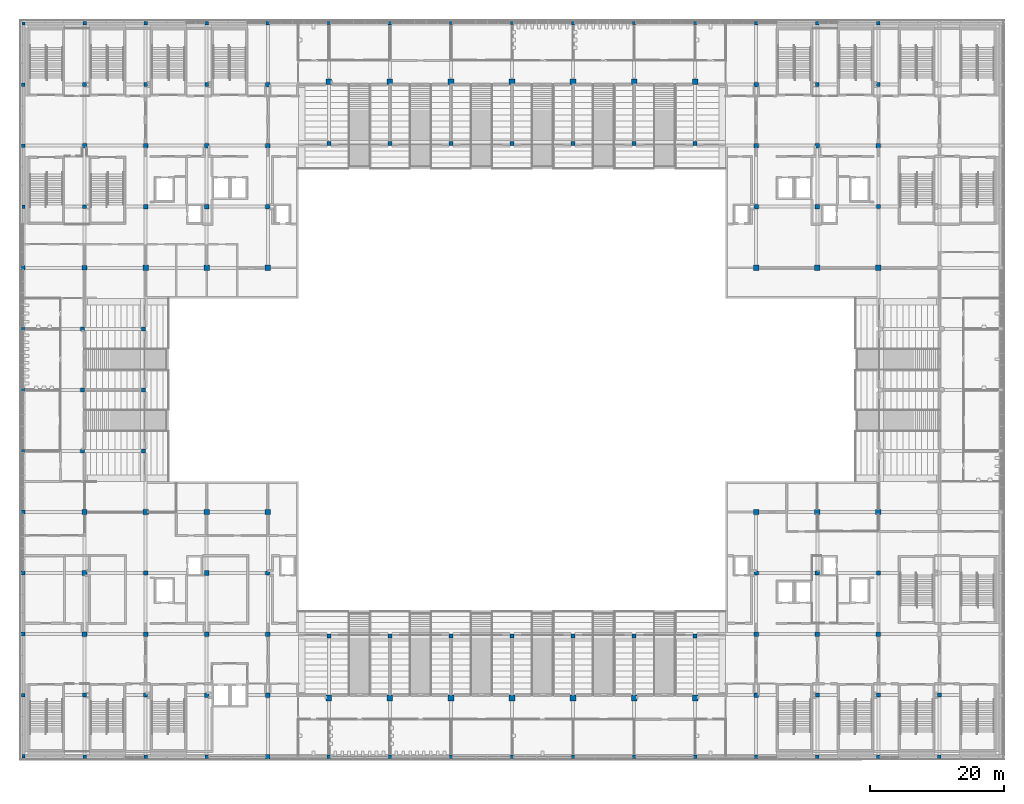
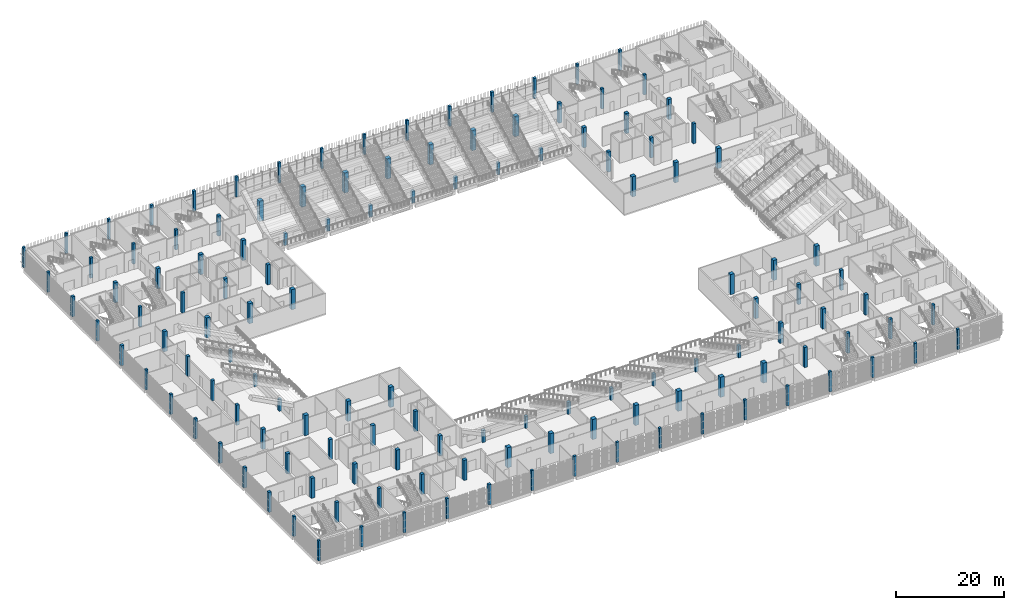
# One storey, part 1 of 139: 133 columns.
"""IFC4 building model written with IfcOpenShell, lengths in metres."""

from ifc_helpers import new_model, si_unit, direction, frame, origin, origin_2d, place, context, subcontext, project, spatial, rectangle, extrude, material, material_profile, profile_set, type_object, element, save


model = new_model("IFC4")

# Units and contexts
model_context = context("Model", 3, precision=1e-05, world=origin(), true_north=direction((0.0, 1.0)))
body_context = subcontext(model_context, "Body", "Model", "MODEL_VIEW")
ifc_project = project(units=[si_unit("LENGTHUNIT", "METRE"), si_unit("AREAUNIT", "SQUARE_METRE"), si_unit("VOLUMEUNIT", "CUBIC_METRE"), si_unit("PLANEANGLEUNIT", "RADIAN"), si_unit("MASSUNIT", "GRAM", prefix="KILO")], contexts=[model_context])

# Site, building, storey
site_placement = place(None, origin())
site = spatial("IfcSite", under=ifc_project, at=site_placement, CompositionType="ELEMENT")
building_placement = place(site_placement, origin())
building = spatial("IfcBuilding", under=site, at=building_placement, Name="Shirokan Park Arena", CompositionType="ELEMENT")
storey_placement = place(building_placement, frame((0.0, 0.0, 15.469970703125)))
storey = spatial("IfcBuildingStorey", under=building, at=storey_placement, Name="L03", CompositionType="ELEMENT", Elevation=15.469970703125)

# Columns
ifc_material = material(Name="Concrete C35", Category="concrete")
ifc_material_profile_1 = material_profile(ifc_material, rectangle(XDim=0.5, YDim=0.5, at=origin_2d()), Name="500x500")
ifc_profile_set_1 = profile_set([ifc_material_profile_1], Name="Concrete C35")
column_type_1 = type_object("IfcColumnType", Name="RC column 500x500", PredefinedType="COLUMN", material=ifc_profile_set_1)
for number, where, z_axis, x_axis, name in (
    (1, (0.0, 0.0, 0.0), (0.0, 0.0, 1.0), (1.0, 0.0, 0.0), "Column 1A L03"),
    (2, (-0.050048828125, 9.10009765625, 0.0), (0.0, 0.0, 1.0), (1.0, 0.0, 0.0), "Column 1B L03"),
    (3, (-0.074951171875, 45.5, 0.0), (0.0, 0.0, 1.0), (1.0, 0.0, 0.0), "Column 1F L03"),
    (4, (-0.074951171875, 54.60009765625, 0.0), (0.0, 0.0, 1.0), (1.0, 0.0, 0.0), "Column 1G L03"),
    (5, (-0.074951171875, 63.699951171875, 0.0), (0.0, 0.0, 1.0), (1.0, 0.0, 0.0), "Column 1H L03"),
    (6, (0.0, 81.89990234375, 0.0), (0.0, 0.0, 1.0), (1.0, 0.0, 0.0), "Column 1K L03"),
    (7, (-0.02490234375, 100.10009765625, 0.0), (0.0, 0.0, 1.0), (1.0, 0.0, 0.0), "Column 1M L03"),
    (8, (0.0, 109.199951171875, 0.0), (0.0, 0.0, 1.0), (1.0, 0.0, 0.0), "Column 1N L03"),
    (9, (9.10009765625, -0.050048828125, 0.0), (0.0, 0.0, 1.0), (1.0, 0.0, 0.0), "Column 2A L03"),
    (10, (9.10009765625, 109.22509765625, 0.0), (0.0, 0.0, 1.0), (1.0, 0.0, 0.0), "Column 2N L03"),
    (11, (18.199951171875, -0.050048828125, 0.0), (0.0, 0.0, 1.0), (1.0, 0.0, 0.0), "Column 3A L03"),
    (12, (18.199951171875, 109.22509765625, 0.0), (0.0, 0.0, 1.0), (1.0, 0.0, 0.0), "Column 3N L03"),
    (13, (27.300048828125, 109.22509765625, 0.0), (0.0, 0.0, 1.0), (1.0, 0.0, 0.0), "Column 4N L03"),
    (14, (45.5, -0.10009765625, 0.0), (0.0, 0.0, 1.0), (1.0, 0.0, 0.0), "Column 6A L03"),
    (15, (45.5, 109.27490234375, 0.0), (0.0, 0.0, 1.0), (1.0, 0.0, 0.0), "Column 6N L03"),
    (16, (54.60009765625, -0.074951171875, 0.0), (0.0, 0.0, 1.0), (1.0, 0.0, 0.0), "Column 7A L03"),
    (17, (54.60009765625, 109.25, 0.0), (0.0, 0.0, 1.0), (1.0, 0.0, 0.0), "Column 7N L03"),
    (18, (63.699951171875, -0.10009765625, 0.0), (0.0, 0.0, 1.0), (1.0, 0.0, 0.0), "Column 8A L03"),
    (19, (63.699951171875, 109.27490234375, 0.0), (0.0, 0.0, 1.0), (1.0, 0.0, 0.0), "Column 8N L03"),
    (20, (72.800048828125, -0.10009765625, 0.0), (0.0, 0.0, 1.0), (1.0, 0.0, 0.0), "Column 9A L03"),
    (21, (72.800048828125, 109.27490234375, 0.0), (0.0, 0.0, 1.0), (1.0, 0.0, 0.0), "Column 9N L03"),
    (22, (81.89990234375, -0.074951171875, 0.0), (0.0, 0.0, 1.0), (1.0, 0.0, 0.0), "Column 10A L03"),
    (23, (81.89990234375, 109.25, 0.0), (0.0, 0.0, 1.0), (1.0, 0.0, 0.0), "Column 10N L03"),
    (24, (91.0, -0.10009765625, 0.0), (0.0, 0.0, 1.0), (1.0, 0.0, 0.0), "Column 11A L03"),
    (25, (91.0, 109.27490234375, 0.0), (0.0, 0.0, 1.0), (1.0, 0.0, 0.0), "Column 11N L03"),
    (26, (100.10009765625, -0.10009765625, 0.0), (0.0, 0.0, 1.0), (1.0, 0.0, 0.0), "Column 12A L03"),
    (27, (100.10009765625, 109.27490234375, 0.0), (0.0, 0.0, 1.0), (1.0, 0.0, 0.0), "Column 12N L03"),
    (28, (118.300048828125, -0.050048828125, 0.0), (0.0, 0.0, 1.0), (1.0, 0.0, 0.0), "Column 14A L03"),
    (29, (118.300048828125, 109.22509765625, 0.0), (0.0, 0.0, 1.0), (1.0, 0.0, 0.0), "Column 14N L03"),
    (30, (127.39990234375, -0.050048828125, 0.0), (0.0, 0.0, 1.0), (1.0, 0.0, 0.0), "Column 15A L03"),
    (31, (127.39990234375, 109.22509765625, 0.0), (0.0, 0.0, 1.0), (1.0, 0.0, 0.0), "Column 15N L03"),
    (32, (136.5, -0.050048828125, 0.0), (0.0, 0.0, 1.0), (1.0, 0.0, 0.0), "Column 16A L03"),
):
    element("IfcColumn", number, at=place(storey_placement, frame(where, z_axis=z_axis, x_axis=x_axis)), inside=storey, type_object=column_type_1, Name=name, PredefinedType="COLUMN", context=body_context, shape_type="SweptSolid", body=[
        extrude(rectangle(XDim=0.5, YDim=0.5, at=origin_2d()), origin(), (0.0, 0.0, 1.0), 4.550048828125),
    ])
ifc_material_profile_2 = material_profile(ifc_material, rectangle(XDim=0.550048828125, YDim=0.550048828125, at=origin_2d()), Name="550x550")
ifc_profile_set_2 = profile_set([ifc_material_profile_2], Name="Concrete C35")
column_type_2 = type_object("IfcColumnType", Name="RC column 550x550", PredefinedType="COLUMN", material=ifc_profile_set_2)
for number, where, z_axis, x_axis, name in (
    (33, (-0.050048828125, 91.0, 0.0), (0.0, 0.0, 1.0), (1.0, 0.0, 0.0), "Column 1L L03"),
    (34, (9.10009765625, 81.89990234375, 0.0), (0.0, 0.0, 1.0), (1.0, 0.0, 0.0), "Column 2K L03"),
    (35, (9.10009765625, 100.10009765625, 0.0), (0.0, 0.0, 1.0), (1.0, 0.0, 0.0), "Column 2M L03"),
    (36, (18.199951171875, 100.10009765625, 0.0), (0.0, 0.0, 1.0), (1.0, 0.0, 0.0), "Column 3M L03"),
    (37, (27.300048828125, -0.074951171875, 0.0), (0.0, 0.0, 1.0), (1.0, 0.0, 0.0), "Column 4A L03"),
    (38, (27.300048828125, 100.10009765625, 0.0), (0.0, 0.0, 1.0), (1.0, 0.0, 0.0), "Column 4M L03"),
    (39, (36.39990234375, 109.27490234375, 0.0), (0.0, 0.0, 1.0), (1.0, 0.0, 0.0), "Column 5N L03"),
    (40, (109.199951171875, -0.074951171875, 0.0), (0.0, 0.0, 1.0), (1.0, 0.0, 0.0), "Column 13A L03"),
    (41, (109.199951171875, 109.25, 0.0), (0.0, 0.0, 1.0), (1.0, 0.0, 0.0), "Column 13N L03"),
    (42, (118.300048828125, 100.10009765625, 0.0), (0.0, 0.0, 1.0), (1.0, 0.0, 0.0), "Column 14M L03"),
    (43, (127.39990234375, 100.10009765625, 0.0), (0.0, 0.0, 1.0), (1.0, 0.0, 0.0), "Column 15M L03"),
):
    element("IfcColumn", number, at=place(storey_placement, frame(where, z_axis=z_axis, x_axis=x_axis)), inside=storey, type_object=column_type_2, Name=name, PredefinedType="COLUMN", context=body_context, shape_type="SweptSolid", body=[
        extrude(rectangle(XDim=0.550048828125, YDim=0.550048828125, at=origin_2d()), origin(), (0.0, 0.0, 1.0), 4.550048828125),
    ])
ifc_material_profile_3 = material_profile(ifc_material, rectangle(XDim=0.60009765625, YDim=0.60009765625, at=origin_2d()), Name="600x600")
ifc_profile_set_3 = profile_set([ifc_material_profile_3], Name="Concrete C35")
column_type_3 = type_object("IfcColumnType", Name="RC column 600x600", PredefinedType="COLUMN", material=ifc_profile_set_3)
for number, where, z_axis, x_axis, name in (
    (44, (-0.074951171875, 18.199951171875, 0.0), (0.0, 0.0, 1.0), (1.0, 0.0, 0.0), "Column 1C L03"),
    (45, (-0.074951171875, 27.300048828125, 0.0), (0.0, 0.0, 1.0), (1.0, 0.0, 0.0), "Column 1D L03"),
    (46, (-0.050048828125, 36.39990234375, 0.0), (0.0, 0.0, 1.0), (1.0, 0.0, 0.0), "Column 1E L03"),
    (47, (-0.050048828125, 72.800048828125, 0.0), (0.0, 0.0, 1.0), (1.0, 0.0, 0.0), "Column 1J L03"),
    (48, (9.10009765625, 9.10009765625, 0.0), (0.0, 0.0, 1.0), (1.0, 0.0, 0.0), "Column 2B L03"),
    (49, (8.800048828125, 45.5, 0.0), (0.0, 0.0, 1.0), (1.0, 0.0, 0.0), "Column 2F L03"),
    (50, (8.800048828125, 54.60009765625, 0.0), (0.0, 0.0, 1.0), (1.0, 0.0, 0.0), "Column 2G L03"),
    (51, (8.800048828125, 63.699951171875, 0.0), (0.0, 0.0, 1.0), (1.0, 0.0, 0.0), "Column 2H L03"),
    (52, (18.199951171875, 9.10009765625, 0.0), (0.0, 0.0, 1.0), (1.0, 0.0, 0.0), "Column 3B L03"),
):
    element("IfcColumn", number, at=place(storey_placement, frame(where, z_axis=z_axis, x_axis=x_axis)), inside=storey, type_object=column_type_3, Name=name, PredefinedType="COLUMN", context=body_context, shape_type="SweptSolid", body=[
        extrude(rectangle(XDim=0.60009765625, YDim=0.60009765625, at=origin_2d()), origin(), (0.0, 0.0, 1.0), 4.550048828125),
    ])
for number, where, z_axis, x_axis, name in (
    (53, (17.89990234375, 45.5, 0.0), (0.0, 0.0, 1.0), (1.0, 0.0, 0.0), "Column 3F L03"),
    (54, (17.89990234375, 54.60009765625, 0.0), (0.0, 0.0, 1.0), (1.0, 0.0, 0.0), "Column 3G L03"),
    (55, (17.89990234375, 63.699951171875, 0.0), (0.0, 0.0, 1.0), (1.0, 0.0, 0.0), "Column 3H L03"),
):
    element("IfcColumn", number, at=place(storey_placement, frame(where, z_axis=z_axis, x_axis=x_axis)), inside=storey, type_object=column_type_3, Name=name, PredefinedType="COLUMN", context=body_context, shape_type="SweptSolid", body=[
        extrude(rectangle(XDim=0.60009765625, YDim=0.60009765625, at=origin_2d()), origin(), (0.0, 0.0, 1.0), 2.7099609375),
    ])
column_placement = place(storey_placement, frame((36.39990234375, -0.074951171875, 0.0), z_axis=(0.0, 0.0, 1.0), x_axis=(1.0, 0.0, 0.0)))
element("IfcColumn", 56, at=column_placement, inside=storey, type_object=column_type_3, Name="Column 5A L03", PredefinedType="COLUMN", context=body_context, shape_type="SweptSolid", body=[
    extrude(rectangle(XDim=0.60009765625, YDim=0.60009765625, at=origin_2d()), origin(), (0.0, 0.0, 1.0), 4.550048828125),
])
for number, where, z_axis, x_axis, name in (
    (57, (45.5, 17.89990234375, 0.0), (0.0, 0.0, 1.0), (1.0, 0.0, 0.0), "Column 6C L03"),
    (58, (45.5, 91.300048828125, 0.0), (0.0, 0.0, 1.0), (1.0, 0.0, 0.0), "Column 6L L03"),
    (59, (54.60009765625, 17.89990234375, 0.0), (0.0, 0.0, 1.0), (1.0, 0.0, 0.0), "Column 7C L03"),
    (60, (54.60009765625, 91.300048828125, 0.0), (0.0, 0.0, 1.0), (1.0, 0.0, 0.0), "Column 7L L03"),
    (61, (63.699951171875, 17.89990234375, 0.0), (0.0, 0.0, 1.0), (1.0, 0.0, 0.0), "Column 8C L03"),
    (62, (63.699951171875, 91.300048828125, 0.0), (0.0, 0.0, 1.0), (1.0, 0.0, 0.0), "Column 8L L03"),
    (63, (72.800048828125, 17.89990234375, 0.0), (0.0, 0.0, 1.0), (1.0, 0.0, 0.0), "Column 9C L03"),
    (64, (72.800048828125, 91.300048828125, 0.0), (0.0, 0.0, 1.0), (1.0, 0.0, 0.0), "Column 9L L03"),
    (65, (81.89990234375, 17.89990234375, 0.0), (0.0, 0.0, 1.0), (1.0, 0.0, 0.0), "Column 10C L03"),
    (66, (81.89990234375, 91.300048828125, 0.0), (0.0, 0.0, 1.0), (1.0, 0.0, 0.0), "Column 10L L03"),
    (67, (91.0, 17.89990234375, 0.0), (0.0, 0.0, 1.0), (1.0, 0.0, 0.0), "Column 11C L03"),
    (68, (91.0, 91.300048828125, 0.0), (0.0, 0.0, 1.0), (1.0, 0.0, 0.0), "Column 11L L03"),
    (69, (100.10009765625, 17.89990234375, 0.0), (0.0, 0.0, 1.0), (1.0, 0.0, 0.0), "Column 12C L03"),
    (70, (100.10009765625, 91.300048828125, 0.0), (0.0, 0.0, 1.0), (1.0, 0.0, 0.0), "Column 12L L03"),
):
    element("IfcColumn", number, at=place(storey_placement, frame(where, z_axis=z_axis, x_axis=x_axis)), inside=storey, type_object=column_type_3, Name=name, PredefinedType="COLUMN", context=body_context, shape_type="SweptSolid", body=[
        extrude(rectangle(XDim=0.60009765625, YDim=0.60009765625, at=origin_2d()), origin(), (0.0, 0.0, 1.0), 2.7099609375),
    ])
for number, where, z_axis, x_axis, name in (
    (71, (118.300048828125, 9.10009765625, 0.0), (0.0, 0.0, 1.0), (1.0, 0.0, 0.0), "Column 14B L03"),
    (72, (127.39990234375, 9.10009765625, 0.0), (0.0, 0.0, 1.0), (1.0, 0.0, 0.0), "Column 15B L03"),
    (73, (127.39990234375, 27.300048828125, 0.0), (0.0, 0.0, 1.0), (1.0, 0.0, 0.0), "Column 15D L03"),
    (74, (127.39990234375, 81.89990234375, 0.0), (0.0, 0.0, 1.0), (1.0, 0.0, 0.0), "Column 15K L03"),
    (75, (136.5, 9.10009765625, 0.0), (0.0, 0.0, 1.0), (1.0, 0.0, 0.0), "Column 16B L03"),
):
    element("IfcColumn", number, at=place(storey_placement, frame(where, z_axis=z_axis, x_axis=x_axis)), inside=storey, type_object=column_type_3, Name=name, PredefinedType="COLUMN", context=body_context, shape_type="SweptSolid", body=[
        extrude(rectangle(XDim=0.60009765625, YDim=0.60009765625, at=origin_2d()), origin(), (0.0, 0.0, 1.0), 4.550048828125),
    ])
ifc_material_profile_4 = material_profile(ifc_material, rectangle(XDim=0.64990234375, YDim=0.64990234375, at=origin_2d()), Name="650x650")
ifc_profile_set_4 = profile_set([ifc_material_profile_4], Name="Concrete C35")
column_type_4 = type_object("IfcColumnType", Name="RC column 650x650", PredefinedType="COLUMN", material=ifc_profile_set_4)
for number, where, z_axis, x_axis, name in (
    (76, (9.10009765625, 91.0, 0.0), (0.0, 0.0, 1.0), (1.0, 0.0, 0.0), "Column 2L L03"),
    (77, (18.199951171875, 27.300048828125, 0.0), (0.0, 0.0, 1.0), (1.0, 0.0, 0.0), "Column 3D L03"),
    (78, (18.199951171875, 81.89990234375, 0.0), (0.0, 0.0, 1.0), (1.0, 0.0, 0.0), "Column 3K L03"),
    (79, (27.300048828125, 9.10009765625, 0.0), (0.0, 0.0, 1.0), (1.0, 0.0, 0.0), "Column 4B L03"),
    (80, (27.300048828125, 81.89990234375, 0.0), (0.0, 0.0, 1.0), (1.0, 0.0, 0.0), "Column 4K L03"),
    (81, (36.39990234375, 27.300048828125, 0.0), (0.0, 0.0, 1.0), (1.0, 0.0, 0.0), "Column 5D L03"),
    (82, (36.39990234375, 81.89990234375, 0.0), (0.0, 0.0, 1.0), (1.0, 0.0, 0.0), "Column 5K L03"),
    (83, (36.39990234375, 100.10009765625, 0.0), (0.0, 0.0, 1.0), (1.0, 0.0, 0.0), "Column 5M L03"),
    (84, (109.199951171875, 9.10009765625, 0.0), (0.0, 0.0, 1.0), (1.0, 0.0, 0.0), "Column 13B L03"),
    (85, (109.199951171875, 27.300048828125, 0.0), (0.0, 0.0, 1.0), (1.0, 0.0, 0.0), "Column 13D L03"),
    (86, (109.199951171875, 81.89990234375, 0.0), (0.0, 0.0, 1.0), (1.0, 0.0, 0.0), "Column 13K L03"),
    (87, (109.199951171875, 100.10009765625, 0.0), (0.0, 0.0, 1.0), (1.0, 0.0, 0.0), "Column 13M L03"),
    (88, (118.300048828125, 27.300048828125, 0.0), (0.0, 0.0, 1.0), (1.0, 0.0, 0.0), "Column 14D L03"),
    (89, (118.300048828125, 81.89990234375, 0.0), (0.0, 0.0, 1.0), (1.0, 0.0, 0.0), "Column 14K L03"),
):
    element("IfcColumn", number, at=place(storey_placement, frame(where, z_axis=z_axis, x_axis=x_axis)), inside=storey, type_object=column_type_4, Name=name, PredefinedType="COLUMN", context=body_context, shape_type="SweptSolid", body=[
        extrude(rectangle(XDim=0.64990234375, YDim=0.64990234375, at=origin_2d()), origin(), (0.0, 0.0, 1.0), 4.550048828125),
    ])
ifc_material_profile_5 = material_profile(ifc_material, rectangle(XDim=0.699951171875, YDim=0.699951171875, at=origin_2d()), Name="700x700")
ifc_profile_set_5 = profile_set([ifc_material_profile_5], Name="Concrete C35")
column_type_5 = type_object("IfcColumnType", Name="RC column 700x700", PredefinedType="COLUMN", material=ifc_profile_set_5)
for number, where, z_axis, x_axis, name in (
    (90, (9.10009765625, 18.199951171875, 0.0), (0.0, 0.0, 1.0), (1.0, 0.0, 0.0), "Column 2C L03"),
    (91, (9.10009765625, 27.300048828125, 0.0), (0.0, 0.0, 1.0), (1.0, 0.0, 0.0), "Column 2D L03"),
    (92, (9.10009765625, 36.39990234375, 0.0), (0.0, 0.0, 1.0), (1.0, 0.0, 0.0), "Column 2E L03"),
    (93, (9.10009765625, 72.800048828125, 0.0), (0.0, 0.0, 1.0), (1.0, 0.0, 0.0), "Column 2J L03"),
    (94, (18.199951171875, 18.199951171875, 0.0), (0.0, 0.0, 1.0), (1.0, 0.0, 0.0), "Column 3C L03"),
    (95, (18.199951171875, 91.0, 0.0), (0.0, 0.0, 1.0), (1.0, 0.0, 0.0), "Column 3L L03"),
    (96, (27.300048828125, 18.199951171875, 0.0), (0.0, 0.0, 1.0), (1.0, 0.0, 0.0), "Column 4C L03"),
    (97, (27.300048828125, 27.300048828125, 0.0), (0.0, 0.0, 1.0), (1.0, 0.0, 0.0), "Column 4D L03"),
    (98, (27.300048828125, 91.0, 0.0), (0.0, 0.0, 1.0), (1.0, 0.0, 0.0), "Column 4L L03"),
    (99, (36.39990234375, 9.10009765625, 0.0), (0.0, 0.0, 1.0), (1.0, 0.0, 0.0), "Column 5B L03"),
    (100, (36.39990234375, 18.199951171875, 0.0), (0.0, 0.0, 1.0), (1.0, 0.0, 0.0), "Column 5C L03"),
    (101, (36.39990234375, 91.0, 0.0), (0.0, 0.0, 1.0), (1.0, 0.0, 0.0), "Column 5L L03"),
    (102, (109.199951171875, 18.199951171875, 0.0), (0.0, 0.0, 1.0), (1.0, 0.0, 0.0), "Column 13C L03"),
    (103, (109.199951171875, 91.0, 0.0), (0.0, 0.0, 1.0), (1.0, 0.0, 0.0), "Column 13L L03"),
    (104, (118.300048828125, 18.199951171875, 0.0), (0.0, 0.0, 1.0), (1.0, 0.0, 0.0), "Column 14C L03"),
    (105, (118.300048828125, 91.0, 0.0), (0.0, 0.0, 1.0), (1.0, 0.0, 0.0), "Column 14L L03"),
    (106, (127.39990234375, 18.199951171875, 0.0), (0.0, 0.0, 1.0), (1.0, 0.0, 0.0), "Column 15C L03"),
    (107, (127.39990234375, 91.0, 0.0), (0.0, 0.0, 1.0), (1.0, 0.0, 0.0), "Column 15L L03"),
):
    element("IfcColumn", number, at=place(storey_placement, frame(where, z_axis=z_axis, x_axis=x_axis)), inside=storey, type_object=column_type_5, Name=name, PredefinedType="COLUMN", context=body_context, shape_type="SweptSolid", body=[
        extrude(rectangle(XDim=0.699951171875, YDim=0.699951171875, at=origin_2d()), origin(), (0.0, 0.0, 1.0), 4.550048828125),
    ])
ifc_material_profile_6 = material_profile(ifc_material, rectangle(XDim=0.800048828125, YDim=0.800048828125, at=origin_2d()), Name="800x800")
ifc_profile_set_6 = profile_set([ifc_material_profile_6], Name="Concrete C35")
column_type_6 = type_object("IfcColumnType", Name="RC column 800x800", PredefinedType="COLUMN", material=ifc_profile_set_6)
for number, where, z_axis, x_axis, name in (
    (108, (18.199951171875, 36.39990234375, 0.0), (0.0, 0.0, 1.0), (1.0, 0.0, 0.0), "Column 3E L03"),
    (109, (18.199951171875, 72.800048828125, 0.0), (0.0, 0.0, 1.0), (1.0, 0.0, 0.0), "Column 3J L03"),
    (110, (27.300048828125, 36.39990234375, 0.0), (0.0, 0.0, 1.0), (1.0, 0.0, 0.0), "Column 4E L03"),
    (111, (27.300048828125, 72.800048828125, 0.0), (0.0, 0.0, 1.0), (1.0, 0.0, 0.0), "Column 4J L03"),
    (112, (36.39990234375, 36.39990234375, 0.0), (0.0, 0.0, 1.0), (1.0, 0.0, 0.0), "Column 5E L03"),
    (113, (36.39990234375, 72.800048828125, 0.0), (0.0, 0.0, 1.0), (1.0, 0.0, 0.0), "Column 5J L03"),
    (114, (109.199951171875, 36.39990234375, 0.0), (0.0, 0.0, 1.0), (1.0, 0.0, 0.0), "Column 13E L03"),
    (115, (109.199951171875, 72.800048828125, 0.0), (0.0, 0.0, 1.0), (1.0, 0.0, 0.0), "Column 13J L03"),
    (116, (118.300048828125, 36.39990234375, 0.0), (0.0, 0.0, 1.0), (1.0, 0.0, 0.0), "Column 14E L03"),
    (117, (118.300048828125, 72.800048828125, 0.0), (0.0, 0.0, 1.0), (1.0, 0.0, 0.0), "Column 14J L03"),
    (118, (127.39990234375, 36.39990234375, 0.0), (0.0, 0.0, 1.0), (1.0, 0.0, 0.0), "Column 15E L03"),
    (119, (127.39990234375, 72.800048828125, 0.0), (0.0, 0.0, 1.0), (1.0, 0.0, 0.0), "Column 15J L03"),
):
    element("IfcColumn", number, at=place(storey_placement, frame(where, z_axis=z_axis, x_axis=x_axis)), inside=storey, type_object=column_type_6, Name=name, PredefinedType="COLUMN", context=body_context, shape_type="SweptSolid", body=[
        extrude(rectangle(XDim=0.800048828125, YDim=0.800048828125, at=origin_2d()), origin(), (0.0, 0.0, 1.0), 4.550048828125),
    ])
ifc_material_profile_7 = material_profile(ifc_material, rectangle(XDim=0.85009765625, YDim=0.85009765625, at=origin_2d()), Name="850x850")
ifc_profile_set_7 = profile_set([ifc_material_profile_7], Name="Concrete C35")
column_type_7 = type_object("IfcColumnType", Name="RC column 850x850", PredefinedType="COLUMN", material=ifc_profile_set_7)
for number, where, z_axis, x_axis, name in (
    (120, (45.5, 8.675048828125, 0.0), (0.0, 0.0, 1.0), (1.0, 0.0, 0.0), "Column 6B L03"),
    (121, (45.5, 100.52490234375, 0.0), (0.0, 0.0, 1.0), (1.0, 0.0, 0.0), "Column 6M L03"),
    (122, (54.60009765625, 8.675048828125, 0.0), (0.0, 0.0, 1.0), (1.0, 0.0, 0.0), "Column 7B L03"),
    (123, (54.60009765625, 100.52490234375, 0.0), (0.0, 0.0, 1.0), (1.0, 0.0, 0.0), "Column 7M L03"),
    (124, (63.699951171875, 8.675048828125, 0.0), (0.0, 0.0, 1.0), (1.0, 0.0, 0.0), "Column 8B L03"),
    (125, (63.699951171875, 100.52490234375, 0.0), (0.0, 0.0, 1.0), (1.0, 0.0, 0.0), "Column 8M L03"),
    (126, (72.800048828125, 8.675048828125, 0.0), (0.0, 0.0, 1.0), (1.0, 0.0, 0.0), "Column 9B L03"),
    (127, (72.800048828125, 100.52490234375, 0.0), (0.0, 0.0, 1.0), (1.0, 0.0, 0.0), "Column 9M L03"),
    (128, (81.89990234375, 8.675048828125, 0.0), (0.0, 0.0, 1.0), (1.0, 0.0, 0.0), "Column 10B L03"),
    (129, (81.89990234375, 100.52490234375, 0.0), (0.0, 0.0, 1.0), (1.0, 0.0, 0.0), "Column 10M L03"),
    (130, (91.0, 8.675048828125, 0.0), (0.0, 0.0, 1.0), (1.0, 0.0, 0.0), "Column 11B L03"),
    (131, (91.0, 100.52490234375, 0.0), (0.0, 0.0, 1.0), (1.0, 0.0, 0.0), "Column 11M L03"),
    (132, (100.10009765625, 8.675048828125, 0.0), (0.0, 0.0, 1.0), (1.0, 0.0, 0.0), "Column 12B L03"),
    (133, (100.10009765625, 100.52490234375, 0.0), (0.0, 0.0, 1.0), (1.0, 0.0, 0.0), "Column 12M L03"),
):
    element("IfcColumn", number, at=place(storey_placement, frame(where, z_axis=z_axis, x_axis=x_axis)), inside=storey, type_object=column_type_7, Name=name, PredefinedType="COLUMN", context=body_context, shape_type="SweptSolid", body=[
        extrude(rectangle(XDim=0.85009765625, YDim=0.85009765625, at=origin_2d()), origin(), (0.0, 0.0, 1.0), 4.550048828125),
    ])

save(model, "model.ifc")
